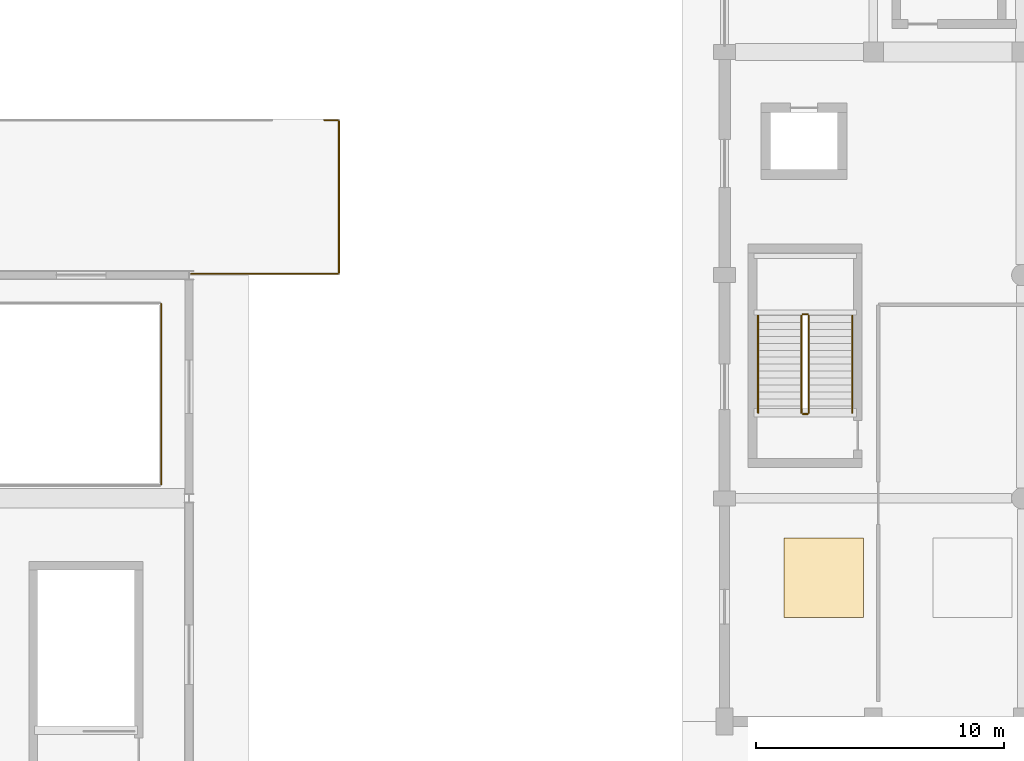
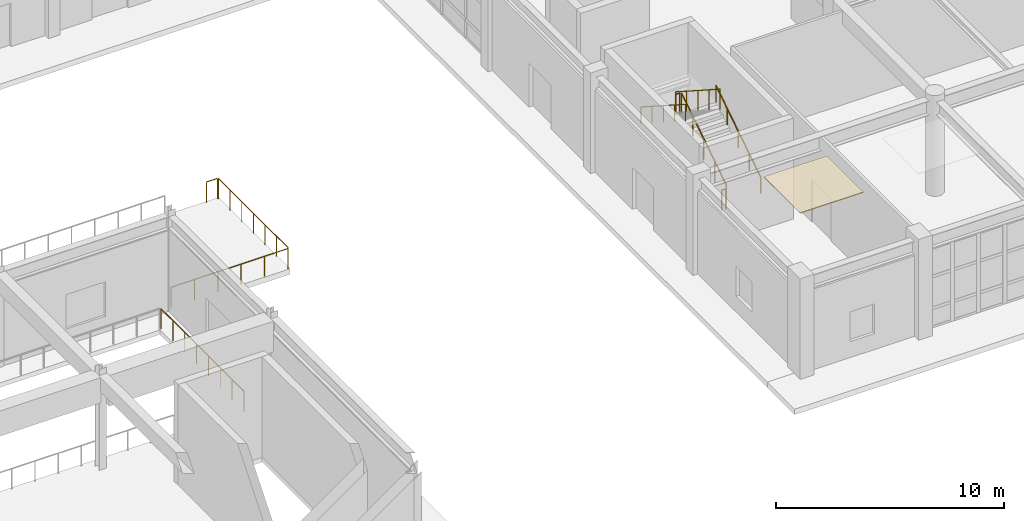
# One storey, part 82 of 91: 10 railings, 1 covering.
"""IFC4 building model written with IfcOpenShell, lengths in metres."""

from ifc_helpers import new_model, si_unit, direction, frame, origin, origin_2d, place, context, subcontext, project, spatial, polyline, circle, outline, extrude, material, layer, layer_set, type_object, element, save


model = new_model("IFC4")

# Units and contexts
model_context = context("Model", 3, precision=1e-05, world=origin(), true_north=direction((0.0, 1.0)))
body_context = subcontext(model_context, "Body", "Model", "MODEL_VIEW")
ifc_project = project(units=[si_unit("LENGTHUNIT", "METRE"), si_unit("AREAUNIT", "SQUARE_METRE"), si_unit("VOLUMEUNIT", "CUBIC_METRE"), si_unit("PLANEANGLEUNIT", "RADIAN"), si_unit("MASSUNIT", "GRAM", prefix="KILO")], contexts=[model_context])

# Site, building, storey
site_placement = place(None, origin())
site = spatial("IfcSite", under=ifc_project, at=site_placement, CompositionType="ELEMENT")
building_placement = place(site_placement, origin())
building = spatial("IfcBuilding", under=site, at=building_placement, Name="Vaelkrest Opera House", CompositionType="ELEMENT")
storey_placement = place(building_placement, origin())
storey = spatial("IfcBuildingStorey", under=building, at=storey_placement, Name="L00", CompositionType="ELEMENT", Elevation=0.0)

# Covering
ifc_material_1 = material(Name="American black walnut acoustic timber", Category="wood")
ifc_layer = layer(ifc_material_1, 0.044921875)
ifc_layer_set = layer_set([ifc_layer], Name="American black walnut acoustic timber")
covering_type = type_object("IfcCoveringType", Name="COV-CLG01", PredefinedType="CEILING", material=ifc_layer_set)
covering_placement = place(storey_placement, frame((0.0, 0.0, 5.050048828125)))
element("IfcCovering", 1, at=covering_placement, inside=storey, type_object=covering_type, Name="Acoustic walnut ceiling reflector 01", PredefinedType="CEILING", context=body_context, shape_type="SweptSolid", body=[
    extrude(outline(polyline([(-27.60009765625, -51.60009765625), (-24.39990234375, -51.60009765625), (-24.39990234375, -48.39990234375), (-27.60009765625, -48.39990234375), (-27.60009765625, -51.60009765625)])), origin(), (0.0, 0.0, 1.0), 0.044921875),
])

# Railings
ifc_material_2 = material(Name="Dark bronze anodized aluminium", Category="aluminium")
railing_type_1 = type_object("IfcRailingType", Name="GR01", PredefinedType="GUARDRAIL", material=ifc_material_2)
railing_1_placement = place(storey_placement, frame((-52.719970703125, -46.239990234375, 0.0)))
element("IfcRailing", 2, at=railing_1_placement, inside=storey, type_object=railing_type_1, Name="Atrium/stage void guard V5 L00-1 seg 2", PredefinedType="GUARDRAIL", context=body_context, shape_type="SweptSolid", body=[
    extrude(circle(Radius=0.02392578125, at=origin_2d()), frame((0.0, 0.0, 1.076171875), z_axis=(0.0, 1.0, 0.0), x_axis=(-1.0, 0.0, 0.0)), (0.0, 0.0, 1.0), 7.280029296875),
    extrude(circle(Radius=0.02099609375, at=origin_2d()), origin(), (0.0, 0.0, 1.0), 1.052001953125),
    extrude(circle(Radius=0.02099609375, at=origin_2d()), frame((0.0, 1.0400390625, 0.0)), (0.0, 0.0, 1.0), 1.052001953125),
    extrude(circle(Radius=0.02099609375, at=origin_2d()), frame((0.0, 2.080078125, 0.0)), (0.0, 0.0, 1.0), 1.052001953125),
    extrude(circle(Radius=0.02099609375, at=origin_2d()), frame((0.0, 3.1201171875, 0.0)), (0.0, 0.0, 1.0), 1.052001953125),
    extrude(circle(Radius=0.02099609375, at=origin_2d()), frame((0.0, 4.159912109375, 0.0)), (0.0, 0.0, 1.0), 1.052001953125),
    extrude(circle(Radius=0.02099609375, at=origin_2d()), frame((0.0, 5.199951171875, 0.0)), (0.0, 0.0, 1.0), 1.052001953125),
    extrude(circle(Radius=0.02099609375, at=origin_2d()), frame((0.0, 6.239990234375, 0.0)), (0.0, 0.0, 1.0), 1.052001953125),
    extrude(circle(Radius=0.02099609375, at=origin_2d()), frame((0.0, 7.280029296875, 0.0)), (0.0, 0.0, 1.0), 1.052001953125),
])
railing_2_placement = place(storey_placement, frame((-46.139892578125, -31.550048828125, 0.0)))
element("IfcRailing", 3, at=railing_2_placement, inside=storey, type_object=railing_type_1, Name="Ramp arrival east-south guardrail seg 1", PredefinedType="GUARDRAIL", context=body_context, shape_type="SweptSolid", body=[
    extrude(circle(Radius=0.02392578125, at=origin_2d()), frame((0.0, 0.0, 1.076171875), z_axis=(1.0, 0.0, 0.0), x_axis=(0.0, 1.0, 0.0)), (0.0, 0.0, 1.0), 0.5498046875),
    extrude(circle(Radius=0.02099609375, at=origin_2d()), origin(), (0.0, 0.0, 1.0), 1.052001953125),
    extrude(circle(Radius=0.02099609375, at=origin_2d()), frame((0.5498046875, 0.0, 0.0)), (0.0, 0.0, 1.0), 1.052001953125),
])
railing_3_placement = place(storey_placement, frame((-45.550048828125, -31.590087890625, 0.0)))
element("IfcRailing", 4, at=railing_3_placement, inside=storey, type_object=railing_type_1, Name="Ramp arrival east-south guardrail seg 2", PredefinedType="GUARDRAIL", context=body_context, shape_type="SweptSolid", body=[
    extrude(circle(Radius=0.02392578125, at=origin_2d()), frame((0.0, 0.0, 1.076171875), z_axis=(0.0, -1.0, 0.0), x_axis=(1.0, 0.0, 0.0)), (0.0, 0.0, 1.0), 6.119873046875),
    extrude(circle(Radius=0.02099609375, at=origin_2d()), origin(), (0.0, 0.0, 1.0), 1.052001953125),
    extrude(circle(Radius=0.02099609375, at=origin_2d()), frame((0.0, -1.02001953125, 0.0)), (0.0, 0.0, 1.0), 1.052001953125),
    extrude(circle(Radius=0.02099609375, at=origin_2d()), frame((0.0, -2.0400390625, 0.0)), (0.0, 0.0, 1.0), 1.052001953125),
    extrude(circle(Radius=0.02099609375, at=origin_2d()), frame((0.0, -3.06005859375, 0.0)), (0.0, 0.0, 1.0), 1.052001953125),
    extrude(circle(Radius=0.02099609375, at=origin_2d()), frame((0.0, -4.079833984375, 0.0)), (0.0, 0.0, 1.0), 1.052001953125),
    extrude(circle(Radius=0.02099609375, at=origin_2d()), frame((0.0, -5.099853515625, 0.0)), (0.0, 0.0, 1.0), 1.052001953125),
    extrude(circle(Radius=0.02099609375, at=origin_2d()), frame((0.0, -6.119873046875, 0.0)), (0.0, 0.0, 1.0), 1.052001953125),
])
railing_4_placement = place(storey_placement, frame((-45.590087890625, -37.75, 0.0)))
element("IfcRailing", 5, at=railing_4_placement, inside=storey, type_object=railing_type_1, Name="Ramp arrival east-south guardrail seg 3", PredefinedType="GUARDRAIL", context=body_context, shape_type="SweptSolid", body=[
    extrude(circle(Radius=0.02392578125, at=origin_2d()), frame((0.0, 0.0, 1.076171875), z_axis=(-1.0, 0.0, 0.0), x_axis=(0.0, -1.0, 0.0)), (0.0, 0.0, 1.0), 5.919921875),
    extrude(circle(Radius=0.02099609375, at=origin_2d()), origin(), (0.0, 0.0, 1.0), 1.052001953125),
    extrude(circle(Radius=0.02099609375, at=origin_2d()), frame((-1.18408203125, 0.0, 0.0)), (0.0, 0.0, 1.0), 1.052001953125),
    extrude(circle(Radius=0.02099609375, at=origin_2d()), frame((-2.367919921875, 0.0, 0.0)), (0.0, 0.0, 1.0), 1.052001953125),
    extrude(circle(Radius=0.02099609375, at=origin_2d()), frame((-3.552001953125, 0.0, 0.0)), (0.0, 0.0, 1.0), 1.052001953125),
    extrude(circle(Radius=0.02099609375, at=origin_2d()), frame((-4.73583984375, 0.0, 0.0)), (0.0, 0.0, 1.0), 1.052001953125),
    extrude(circle(Radius=0.02099609375, at=origin_2d()), frame((-5.919921875, 0.0, 0.0)), (0.0, 0.0, 1.0), 1.052001953125),
])
railing_type_2 = type_object("IfcRailingType", Name="GR02", PredefinedType="GUARDRAIL", material=ifc_material_2)
railing_5_placement = place(storey_placement, frame((-26.60009765625, -43.35009765625, 0.179931640625)))
element("IfcRailing", 6, at=railing_5_placement, inside=storey, type_object=railing_type_2, Name="L00 ST03 stair guard 1", PredefinedType="GUARDRAIL", context=body_context, shape_type="SweptSolid", body=[
    extrude(circle(Radius=0.02392578125, at=origin_2d()), frame((0.0, 0.0, 1.076171875), z_axis=(0.0, 0.841186985886, 0.540744352514), x_axis=(-1.0, 0.0, 0.0)), (0.0, 0.0, 1.0), 4.660400390625),
    extrude(circle(Radius=0.02099609375, at=origin_2d()), origin(), (0.0, 0.0, 1.0), 1.052001953125),
    extrude(circle(Radius=0.02099609375, at=origin_2d()), frame((0.0, 0.97998046875, 0.6298828125)), (0.0, 0.0, 1.0), 1.052001953125),
    extrude(circle(Radius=0.02099609375, at=origin_2d()), frame((0.0, 1.9599609375, 1.260009765625)), (0.0, 0.0, 1.0), 1.052001953125),
    extrude(circle(Radius=0.02099609375, at=origin_2d()), frame((0.0, 2.940185546875, 1.89013671875)), (0.0, 0.0, 1.0), 1.052001953125),
    extrude(circle(Radius=0.02099609375, at=origin_2d()), frame((0.0, 3.920166015625, 2.52001953125)), (0.0, 0.0, 1.0), 1.052001953125),
])
railing_6_placement = place(storey_placement, frame((-26.64990234375, -39.3798828125, 2.699951171875)))
element("IfcRailing", 7, at=railing_6_placement, inside=storey, type_object=railing_type_2, Name="L00 ST03 stair guard 2", PredefinedType="GUARDRAIL", context=body_context, shape_type="SweptSolid", body=[
    extrude(circle(Radius=0.02392578125, at=origin_2d()), frame((0.0, 0.0, 1.076171875), z_axis=(-1.0, 0.0, 0.0), x_axis=(0.0, -1.0, 0.0)), (0.0, 0.0, 1.0), 0.2001953125),
    extrude(circle(Radius=0.02099609375, at=origin_2d()), origin(), (0.0, 0.0, 1.0), 1.052001953125),
    extrude(circle(Radius=0.02099609375, at=origin_2d()), frame((-0.2001953125, 0.0, 0.0)), (0.0, 0.0, 1.0), 1.052001953125),
])
railing_7_placement = place(storey_placement, frame((-26.89990234375, -39.429931640625, 2.8798828125)))
element("IfcRailing", 8, at=railing_7_placement, inside=storey, type_object=railing_type_2, Name="L00 ST03 stair guard 3", PredefinedType="GUARDRAIL", context=body_context, shape_type="SweptSolid", body=[
    extrude(circle(Radius=0.02392578125, at=origin_2d()), frame((0.0, 0.0, 1.076171875), z_axis=(0.0, -0.841186985886, 0.540744352514), x_axis=(1.0, 0.0, 0.0)), (0.0, 0.0, 1.0), 4.660400390625),
    extrude(circle(Radius=0.02099609375, at=origin_2d()), origin(), (0.0, 0.0, 1.0), 1.052001953125),
    extrude(circle(Radius=0.02099609375, at=origin_2d()), frame((0.0, -0.97998046875, 0.6298828125)), (0.0, 0.0, 1.0), 1.052001953125),
    extrude(circle(Radius=0.02099609375, at=origin_2d()), frame((0.0, -1.9599609375, 1.260009765625)), (0.0, 0.0, 1.0), 1.052001953125),
    extrude(circle(Radius=0.02099609375, at=origin_2d()), frame((0.0, -2.940185546875, 1.89013671875)), (0.0, 0.0, 1.0), 1.052001953125),
    extrude(circle(Radius=0.02099609375, at=origin_2d()), frame((0.0, -3.920166015625, 2.52001953125)), (0.0, 0.0, 1.0), 1.052001953125),
])
railing_8_placement = place(storey_placement, frame((-26.64990234375, -43.39990234375, 0.0)))
element("IfcRailing", 9, at=railing_8_placement, inside=storey, type_object=railing_type_2, Name="L00 ST03 stair guard 4", PredefinedType="GUARDRAIL", context=body_context, shape_type="SweptSolid", body=[
    extrude(circle(Radius=0.02392578125, at=origin_2d()), frame((0.0, 0.0, 1.076171875), z_axis=(-1.0, 0.0, 0.0), x_axis=(0.0, -1.0, 0.0)), (0.0, 0.0, 1.0), 0.2001953125),
    extrude(circle(Radius=0.02099609375, at=origin_2d()), origin(), (0.0, 0.0, 1.0), 1.052001953125),
    extrude(circle(Radius=0.02099609375, at=origin_2d()), frame((-0.2001953125, 0.0, 0.0)), (0.0, 0.0, 1.0), 1.052001953125),
])
railing_type_3 = type_object("IfcRailingType", Name="HR02", PredefinedType="HANDRAIL", material=ifc_material_2)
railing_9_placement = place(storey_placement, frame((-24.85009765625, -43.35009765625, 0.179931640625)))
element("IfcRailing", 10, at=railing_9_placement, inside=storey, type_object=railing_type_3, Name="L00 ST03 stair handrail 1", PredefinedType="HANDRAIL", context=body_context, shape_type="SweptSolid", body=[
    extrude(circle(Radius=0.02392578125, at=origin_2d()), frame((0.0, 0.0, 0.8759765625), z_axis=(0.0, 0.841186985886, 0.540744352514), x_axis=(-1.0, 0.0, 0.0)), (0.0, 0.0, 1.0), 4.660400390625),
    extrude(circle(Radius=0.02099609375, at=origin_2d()), origin(), (0.0, 0.0, 1.0), 0.851806640625),
    extrude(circle(Radius=0.02099609375, at=origin_2d()), frame((0.0, 0.97998046875, 0.6298828125)), (0.0, 0.0, 1.0), 0.851806640625),
    extrude(circle(Radius=0.02099609375, at=origin_2d()), frame((0.0, 1.9599609375, 1.260009765625)), (0.0, 0.0, 1.0), 0.851806640625),
    extrude(circle(Radius=0.02099609375, at=origin_2d()), frame((0.0, 2.940185546875, 1.89013671875)), (0.0, 0.0, 1.0), 0.851806640625),
    extrude(circle(Radius=0.02099609375, at=origin_2d()), frame((0.0, 3.920166015625, 2.52001953125)), (0.0, 0.0, 1.0), 0.851806640625),
])
railing_10_placement = place(storey_placement, frame((-28.64990234375, -39.429931640625, 2.8798828125)))
element("IfcRailing", 11, at=railing_10_placement, inside=storey, type_object=railing_type_3, Name="L00 ST03 stair handrail 2", PredefinedType="HANDRAIL", context=body_context, shape_type="SweptSolid", body=[
    extrude(circle(Radius=0.02392578125, at=origin_2d()), frame((0.0, 0.0, 0.8759765625), z_axis=(0.0, -0.841186985886, 0.540744352514), x_axis=(1.0, 0.0, 0.0)), (0.0, 0.0, 1.0), 4.660400390625),
    extrude(circle(Radius=0.02099609375, at=origin_2d()), origin(), (0.0, 0.0, 1.0), 0.851806640625),
    extrude(circle(Radius=0.02099609375, at=origin_2d()), frame((0.0, -0.97998046875, 0.6298828125)), (0.0, 0.0, 1.0), 0.851806640625),
    extrude(circle(Radius=0.02099609375, at=origin_2d()), frame((0.0, -1.9599609375, 1.260009765625)), (0.0, 0.0, 1.0), 0.851806640625),
    extrude(circle(Radius=0.02099609375, at=origin_2d()), frame((0.0, -2.940185546875, 1.89013671875)), (0.0, 0.0, 1.0), 0.851806640625),
    extrude(circle(Radius=0.02099609375, at=origin_2d()), frame((0.0, -3.920166015625, 2.52001953125)), (0.0, 0.0, 1.0), 0.851806640625),
])

save(model, "model.ifc")
